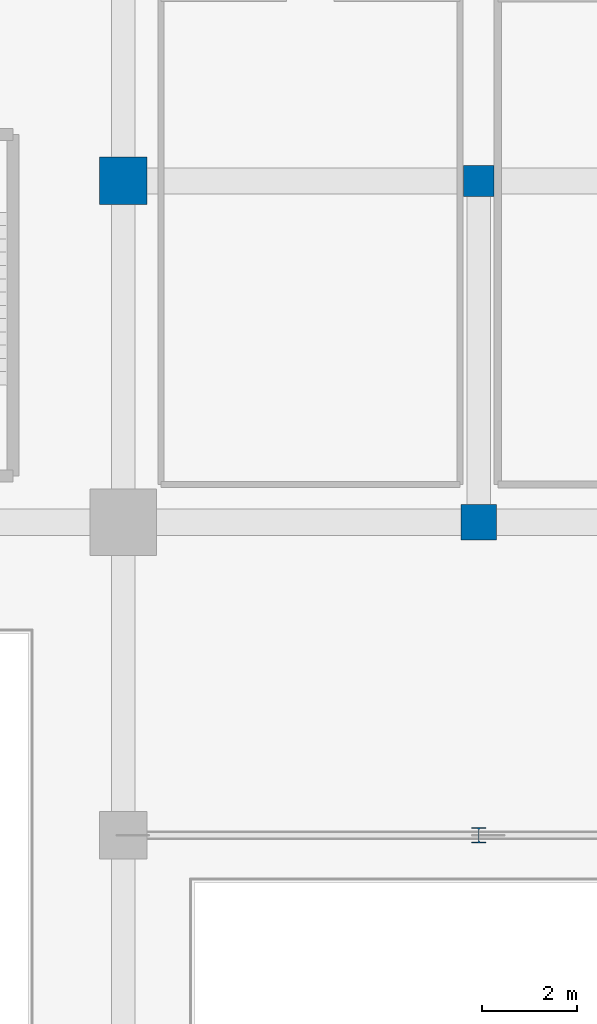
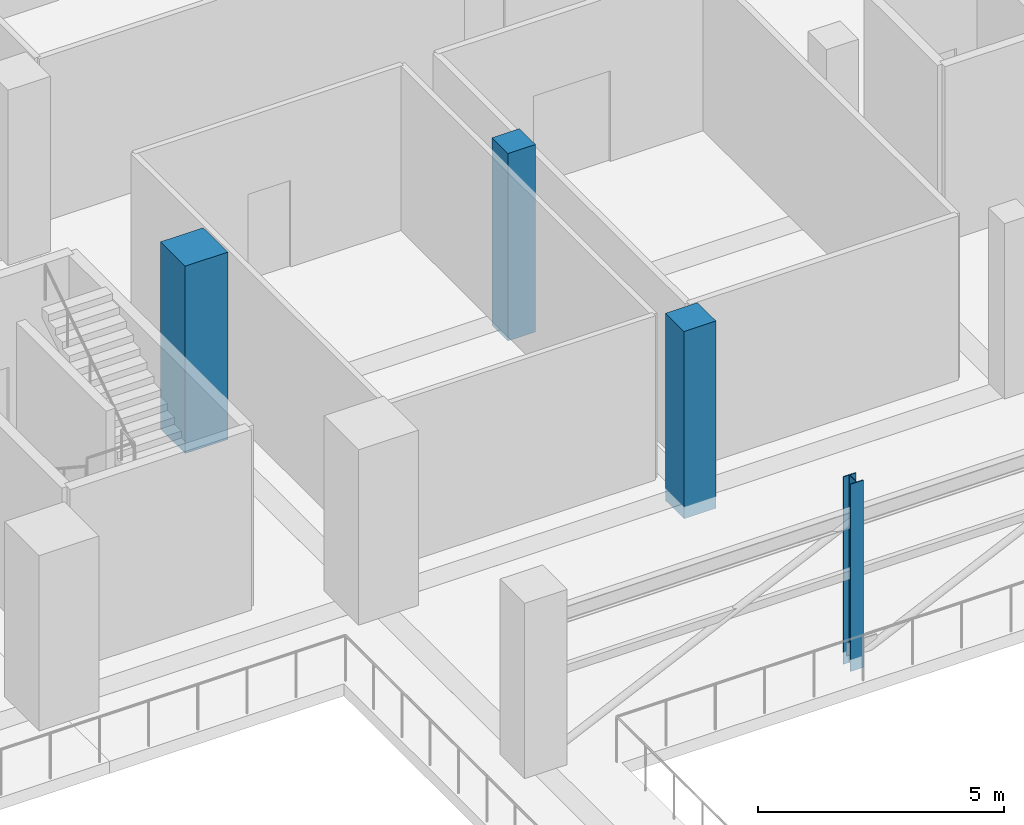
# One storey, part 2 of 64: 4 columns.
"""IFC4 building model written with IfcOpenShell, lengths in metres."""

import ifcopenshell
import ifcopenshell.guid

model = None  # the IFC model being written
_history = None  # IfcOwnerHistory: only IFC2X3 demands one
_inside = {}  # id of a spatial element -> (the spatial element, [elements in it])
_under = {}  # id of a project, library or spatial element -> (it, [spatial elements below it])
_declared = {}  # id of a project -> (the project, [libraries it declares])
_typed = {}  # id of a type object -> (the type object, [elements of that type])
_made_of = {}  # id of a material, layer set ... -> (it, [elements and type objects made of it])


def new_model(schema):
    """Start an empty IFC model of exactly this schema.

    Asked for "IFC4X3", IfcOpenShell would pick the latest addendum, in which some entities
    have other attributes; the version numbers below select the first issue.
    IFC2X3 requires an IfcOwnerHistory on every rooted entity: one is made here for all.
    """
    global model, _history
    if schema == "IFC4X3":
        model = ifcopenshell.file(schema_version=(4, 3, 0, 0))
    else:
        model = ifcopenshell.file(schema=schema)
    _inside.clear()
    _under.clear()
    _declared.clear()
    _typed.clear()
    _made_of.clear()
    _history = None
    if model.schema == "IFC2X3":
        org = make("IfcOrganization", Name="unknown")
        user = make(
            "IfcPersonAndOrganization",
            ThePerson=make("IfcPerson", FamilyName="unknown"),
            TheOrganization=org,
        )
        app = make(
            "IfcApplication",
            ApplicationDeveloper=org,
            Version="unknown",
            ApplicationFullName="unknown",
            ApplicationIdentifier="unknown",
        )
        _history = make(
            "IfcOwnerHistory",
            OwningUser=user,
            OwningApplication=app,
            ChangeAction="ADDED",
            CreationDate=0,
        )
    return model


def make(cls, **values):
    """One entity of the class cls with the attributes given. An attribute that is None is left unset."""
    return model.create_entity(
        cls, **{name: value for name, value in values.items() if value is not None}
    )


def rooted(cls, **values):
    """An entity with a GlobalId (a new one), such as an element, a storey or a relation."""
    return make(cls, GlobalId=ifcopenshell.guid.new(), OwnerHistory=_history, **values)


def si_unit(unit_type, name, prefix=None):
    """IfcSIUnit, for example si_unit("LENGTHUNIT", "METRE", prefix="MILLI")."""
    return make("IfcSIUnit", UnitType=unit_type, Prefix=prefix, Name=name)


def assignment(units):
    """IfcUnitAssignment: the units of a project."""
    return None if units is None else make("IfcUnitAssignment", Units=units)


def point(xyz):
    """IfcCartesianPoint."""
    return None if xyz is None else make("IfcCartesianPoint", Coordinates=xyz)


def direction(xyz):
    """IfcDirection."""
    return None if xyz is None else make("IfcDirection", DirectionRatios=xyz)


def frame(location, z_axis=None, x_axis=None):
    """IfcAxis2Placement3D, a coordinate frame: its origin and axes. An axis left out is left unset."""
    return make(
        "IfcAxis2Placement3D",
        Location=point(location),
        Axis=direction(z_axis),
        RefDirection=direction(x_axis),
    )


def frame_2d(location, x_axis=None):
    """IfcAxis2Placement2D, a coordinate frame in the plane: its origin and x axis."""
    return make(
        "IfcAxis2Placement2D", Location=point(location), RefDirection=direction(x_axis)
    )


def origin():
    """The frame at (0, 0, 0) with its axes left unset."""
    return frame((0.0, 0.0, 0.0))


def origin_2d():
    """The frame at (0, 0) in the plane with its x axis left unset."""
    return frame_2d((0.0, 0.0))


def place(relative_to, where):
    """IfcLocalPlacement: puts the frame where relative to a parent placement (None: the world)."""
    return make(
        "IfcLocalPlacement", PlacementRelTo=relative_to, RelativePlacement=where
    )


def context(
    kind, dimensions, precision=None, world=None, true_north=None, identifier=None
):
    """IfcGeometricRepresentationContext, for example the 3D "Model" context."""
    return make(
        "IfcGeometricRepresentationContext",
        ContextIdentifier=identifier,
        ContextType=kind,
        CoordinateSpaceDimension=dimensions,
        Precision=precision,
        WorldCoordinateSystem=world,
        TrueNorth=true_north,
    )


def subcontext(parent, identifier, kind, view, scale=None):
    """IfcGeometricRepresentationSubContext, for example "Body" below "Model"."""
    return make(
        "IfcGeometricRepresentationSubContext",
        ContextIdentifier=identifier,
        ContextType=kind,
        ParentContext=parent,
        TargetScale=scale,
        TargetView=view,
    )


def project(units=None, contexts=None):
    """IfcProject with its units and contexts."""
    return rooted(
        "IfcProject",
        Name="project",
        RepresentationContexts=contexts,
        UnitsInContext=assignment(units),
    )


def spatial(cls, under=None, at=None, **own):
    """A site, building, storey or space (cls), placed at a placement, below another one or the project."""
    s = rooted(cls, ObjectPlacement=at, **own)
    if under is not None:
        _under.setdefault(under.id(), (under, []))[1].append(s)
    return s


def profile(cls, at=None, kind="AREA", **sizes):
    """A parametric profile (cls). Its sizes go by their IFC names, for example OverallWidth=200.0."""
    return make(cls, ProfileType=kind, Position=at, **sizes)


def rectangle(**sizes):
    """IfcRectangleProfileDef."""
    return profile("IfcRectangleProfileDef", **sizes)


def i_section(**sizes):
    """IfcIShapeProfileDef."""
    return profile("IfcIShapeProfileDef", **sizes)


def extrude(swept, where, along, depth):
    """IfcExtrudedAreaSolid: the profile swept, set in the frame where, extruded along a direction by depth."""
    return make(
        "IfcExtrudedAreaSolid",
        SweptArea=swept,
        Position=where,
        ExtrudedDirection=direction(along),
        Depth=depth,
    )


def shape(context_of_items, identifier, shape_type, items):
    """IfcShapeRepresentation: the items that make up one representation, for example the "Body"."""
    return make(
        "IfcShapeRepresentation",
        ContextOfItems=context_of_items,
        RepresentationIdentifier=identifier,
        RepresentationType=shape_type,
        Items=items,
    )


def material(Name=None, Category=None):
    """IfcMaterial."""
    return make("IfcMaterial", Name=Name, Category=Category)


def material_profile(
    of_material, cross_section, Name=None, Category=None, Priority=None
):
    """IfcMaterialProfile: a cross section and its material."""
    return make(
        "IfcMaterialProfile",
        Name=Name,
        Material=of_material,
        Profile=cross_section,
        Priority=Priority,
        Category=Category,
    )


def profile_set(profiles, Name=None, composite=None):
    """IfcMaterialProfileSet."""
    return make(
        "IfcMaterialProfileSet",
        Name=Name,
        MaterialProfiles=profiles,
        CompositeProfile=composite,
    )


def made_of(thing, what):
    """Note that an element or type object is made of a material, layer set ...; save() writes the relation."""
    if what is not None:
        _made_of.setdefault(what.id(), (what, []))[1].append(thing)
    return thing


def type_object(cls, material=None, **own):
    """A type object (cls), such as IfcWallType, which elements share."""
    return made_of(rooted(cls, **own), material)


def element(
    cls,
    number,
    at=None,
    inside=None,
    cuts=None,
    type_object=None,
    material=None,
    context=None,
    identifier="Body",
    shape_type=None,
    held_by="IfcProductDefinitionShape",
    body=None,
    shapes=None,
    **own,
):
    """One element of the class cls, such as IfcWall. Its Tag is "e" and its number.

    at: its placement. inside: the storey or other place that contains it. cuts: it is an
    opening in that element (IfcRelVoidsElement). A single representation is given by context,
    identifier, shape_type and body (its items); several are given by shapes. held_by: the class
    of the entity that holds the representations. save() writes the other relations.
    """
    e = rooted(cls, Tag="e%d" % number, ObjectPlacement=at, **own)
    if body is not None:
        shapes = [shape(context, identifier, shape_type, body)]
    if shapes is not None:
        e.Representation = make(held_by, Representations=shapes)
    if inside is not None:
        _inside.setdefault(inside.id(), (inside, []))[1].append(e)
    if cuts is not None:
        rooted(
            "IfcRelVoidsElement", RelatingBuildingElement=cuts, RelatedOpeningElement=e
        )
    if type_object is not None:
        _typed.setdefault(type_object.id(), (type_object, []))[1].append(e)
    return made_of(e, material)


def aggregate(whole, parts):
    """IfcRelAggregates: a whole, such as a stair, and the parts it consists of."""
    return rooted("IfcRelAggregates", RelatingObject=whole, RelatedObjects=parts)


def save(model, path):
    """Write the relations noted so far, then the file.

    IfcRelAggregates (storeys below a building ...), IfcRelContainedInSpatialStructure (elements
    in a storey), IfcRelDefinesByType, IfcRelAssociatesMaterial and IfcRelDeclares: one each for
    every whole, place, type object, material and project.
    """
    for whole, parts in _under.values():
        aggregate(whole, parts)
    for where, things in _inside.values():
        rooted(
            "IfcRelContainedInSpatialStructure",
            RelatedElements=things,
            RelatingStructure=where,
        )
    for kind, things in _typed.values():
        rooted("IfcRelDefinesByType", RelatedObjects=things, RelatingType=kind)
    for what, things in _made_of.values():
        rooted("IfcRelAssociatesMaterial", RelatedObjects=things, RelatingMaterial=what)
    for by, libraries in _declared.values():
        rooted("IfcRelDeclares", RelatingContext=by, RelatedDefinitions=libraries)
    model.write(path)


model = new_model("IFC4")

# Units and contexts
model_context = context("Model", 3, precision=1e-05, world=origin(), true_north=direction((0.0, 1.0)))
body_context = subcontext(model_context, "Body", "Model", "MODEL_VIEW")
ifc_project = project(units=[si_unit("LENGTHUNIT", "METRE"), si_unit("AREAUNIT", "SQUARE_METRE"), si_unit("VOLUMEUNIT", "CUBIC_METRE"), si_unit("PLANEANGLEUNIT", "RADIAN"), si_unit("MASSUNIT", "GRAM", prefix="KILO")], contexts=[model_context])

# Site, building, storey
site_placement = place(None, origin())
site = spatial("IfcSite", under=ifc_project, at=site_placement, CompositionType="ELEMENT")
building_placement = place(site_placement, origin())
building = spatial("IfcBuilding", under=site, at=building_placement, Name="Akrevak Sports Hall", CompositionType="ELEMENT")
storey_placement = place(building_placement, frame((0.0, 0.0, 4.60009765625)))
storey = spatial("IfcBuildingStorey", under=building, at=storey_placement, Name="L01", CompositionType="ELEMENT", Elevation=4.60009765625)

# Columns
ifc_material_1 = material(Name="Concrete C50/60", Category="concrete")
ifc_material_profile_1 = material_profile(ifc_material_1, rectangle(XDim=1.0, YDim=1.0, at=origin_2d()), Name="RC 1000x1000", Category="concrete")
ifc_profile_set_1 = profile_set([ifc_material_profile_1], Name="Concrete C50/60")
column_type_1 = type_object("IfcColumnType", Name="STR-COL-RC1000", PredefinedType="COLUMN", material=ifc_profile_set_1)
column_1_placement = place(storey_placement, frame((115.5, 62.39990234375, -0.300048828125), z_axis=(0.0, 0.0, 1.0), x_axis=(1.0, 0.0, 0.0)))
element("IfcColumn", 1, at=column_1_placement, inside=storey, type_object=column_type_1, Name="Column 16/J (L01)", PredefinedType="COLUMN", context=body_context, shape_type="SweptSolid", body=[
    extrude(rectangle(XDim=1.0, YDim=1.0, at=origin_2d()), origin(), (0.0, 0.0, 1.0), 4.64990234375),
])
ifc_material_2 = material(Name="Concrete C40/50", Category="concrete")
ifc_material_profile_2 = material_profile(ifc_material_2, rectangle(XDim=0.64990234375, YDim=0.64990234375, at=origin_2d()), Name="RC 650x650", Category="concrete")
ifc_profile_set_2 = profile_set([ifc_material_profile_2], Name="Concrete C40/50")
column_type_2 = type_object("IfcColumnType", Name="STR-COL-RC650", PredefinedType="COLUMN", material=ifc_profile_set_2)
column_2_placement = place(storey_placement, frame((123.0, 62.39990234375, -0.300048828125), z_axis=(0.0, 0.0, 1.0), x_axis=(1.0, 0.0, 0.0)))
element("IfcColumn", 2, at=column_2_placement, inside=storey, type_object=column_type_2, Name="Column 17/J (L01)", PredefinedType="COLUMN", context=body_context, shape_type="SweptSolid", body=[
    extrude(rectangle(XDim=0.64990234375, YDim=0.64990234375, at=origin_2d()), origin(), (0.0, 0.0, 1.0), 4.64990234375),
])
ifc_material_profile_3 = material_profile(ifc_material_2, rectangle(XDim=0.75, YDim=0.75, at=origin_2d()), Name="RC 750x750", Category="concrete")
ifc_profile_set_3 = profile_set([ifc_material_profile_3], Name="Concrete C40/50")
column_type_3 = type_object("IfcColumnType", Name="STR-COL-RC750", PredefinedType="COLUMN", material=ifc_profile_set_3)
column_3_placement = place(storey_placement, frame((123.0, 55.199951171875, -0.300048828125), z_axis=(0.0, 0.0, 1.0), x_axis=(1.0, 0.0, 0.0)))
element("IfcColumn", 3, at=column_3_placement, inside=storey, type_object=column_type_3, Name="Column 17/I (L01)", PredefinedType="COLUMN", context=body_context, shape_type="SweptSolid", body=[
    extrude(rectangle(XDim=0.75, YDim=0.75, at=origin_2d()), origin(), (0.0, 0.0, 1.0), 4.64990234375),
])
ifc_material_3 = material(Name="Steel S355", Category="steel")
ifc_material_profile_4 = material_profile(ifc_material_3, i_section(OverallWidth=0.300048828125, OverallDepth=0.320068359375, WebThickness=0.011474609375, FlangeThickness=0.0205078125, FilletRadius=0.027099609375, at=origin_2d()), Name="HEB 320", Category="steel")
ifc_profile_set_4 = profile_set([ifc_material_profile_4], Name="Steel S355")
column_type_4 = type_object("IfcColumnType", Name="STR-COL-STL-HEB320", PredefinedType="COLUMN", material=ifc_profile_set_4)
column_4_placement = place(storey_placement, frame((123.0, 48.60009765625, -0.300048828125), z_axis=(0.0, 0.0, 1.0), x_axis=(1.0, 0.0, 0.0)))
element("IfcColumn", 4, at=column_4_placement, inside=storey, type_object=column_type_4, Name="Climbing Wall Steel Column SC-1 (L01)", PredefinedType="COLUMN", context=body_context, shape_type="SweptSolid", body=[
    extrude(i_section(OverallWidth=0.300048828125, OverallDepth=0.320068359375, WebThickness=0.011474609375, FlangeThickness=0.0205078125, FilletRadius=0.027099609375, at=origin_2d()), origin(), (0.0, 0.0, 1.0), 4.64990234375),
])

save(model, "model.ifc")
